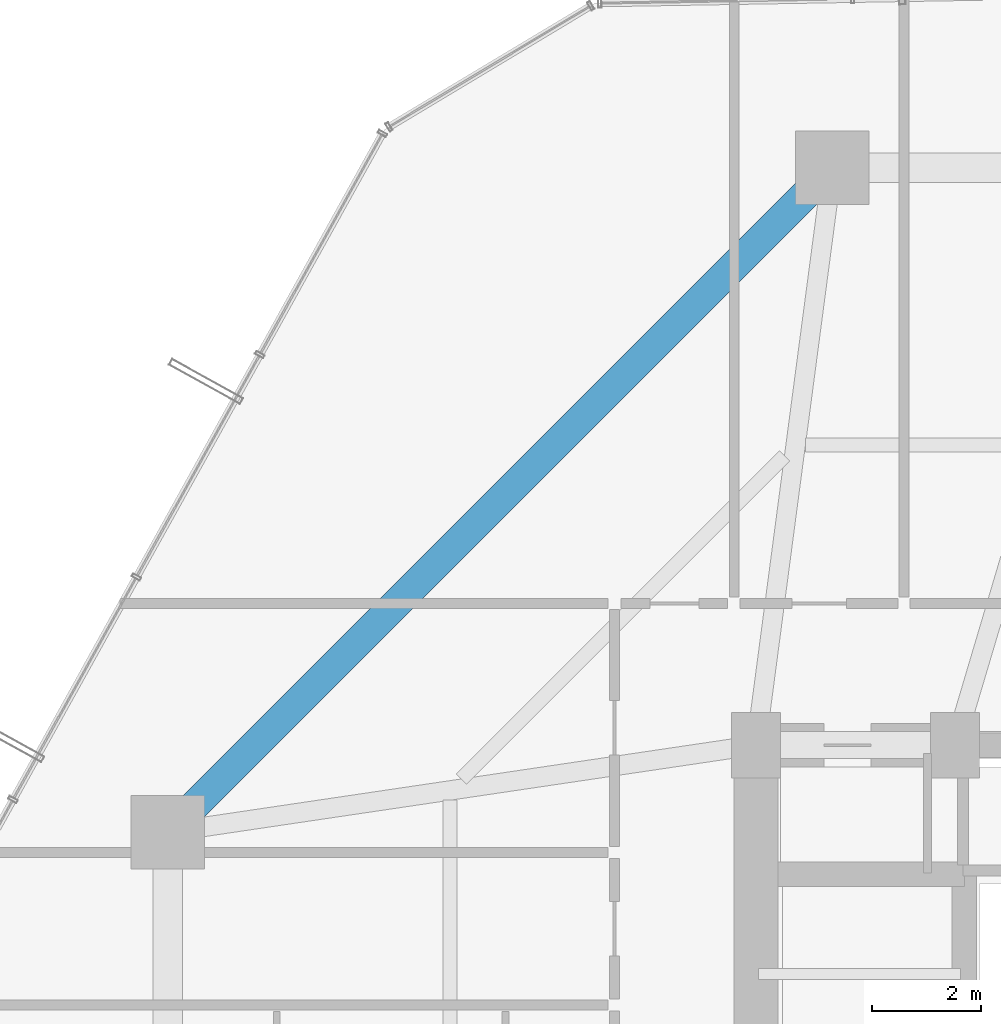
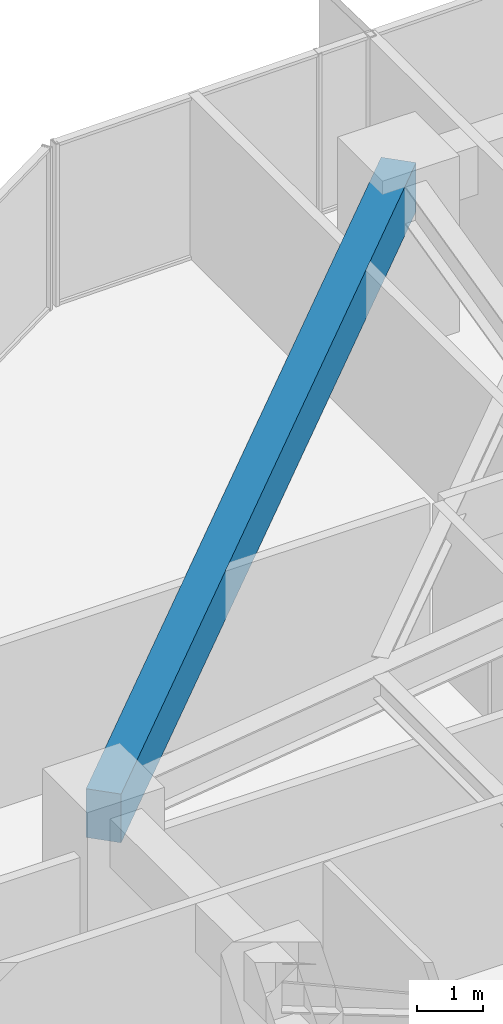
# One storey, part 24 of 39: 1 beam.
"""IFC4 building model written with IfcOpenShell, lengths in metres."""

from ifc_helpers import new_model, si_unit, direction, frame, origin, origin_2d, place, context, subcontext, project, spatial, rectangle, extrude, material, material_profile, profile_set, type_object, element, save


model = new_model("IFC4")

# Units and contexts
model_context = context("Model", 3, precision=1e-05, world=origin(), true_north=direction((0.0, 1.0)))
body_context = subcontext(model_context, "Body", "Model", "MODEL_VIEW")
ifc_project = project(units=[si_unit("LENGTHUNIT", "METRE"), si_unit("AREAUNIT", "SQUARE_METRE"), si_unit("VOLUMEUNIT", "CUBIC_METRE"), si_unit("PLANEANGLEUNIT", "RADIAN"), si_unit("MASSUNIT", "GRAM", prefix="KILO")], contexts=[model_context])

# Site, building, storey
site_placement = place(None, origin())
site = spatial("IfcSite", under=ifc_project, at=site_placement, CompositionType="ELEMENT")
building_placement = place(site_placement, origin())
building = spatial("IfcBuilding", under=site, at=building_placement, Name="Veraguas Prism Commons", CompositionType="ELEMENT")
storey_placement = place(building_placement, frame((0.0, 0.0, 27.300048828125)))
storey = spatial("IfcBuildingStorey", under=building, at=storey_placement, Name="L06", CompositionType="ELEMENT", Elevation=27.300048828125)

# Beam
ifc_material = material(Name="Concrete C50/60", Category="concrete")
ifc_material_profile = material_profile(ifc_material, rectangle(XDim=0.550048828125, YDim=0.89990234375, at=origin_2d()), Name="RC550X900")
ifc_profile_set = profile_set([ifc_material_profile], Name="Concrete C50/60")
beam_type = type_object("IfcBeamType", Name="Perimeter Spandrel Lower RC 550x900", PredefinedType="SPANDREL", material=ifc_profile_set)
beam_placement = place(storey_placement, frame((18.60009765625, 41.60009765625, 2.550048828125), z_axis=(-0.707106781187, -0.707106781187, 0.0), x_axis=(0.707106781187, -0.707106781187, 0.0)))
element("IfcBeam", 1, at=beam_placement, inside=storey, type_object=beam_type, Name="Perimeter Spandrel Beam L06-SP06", PredefinedType="SPANDREL", context=body_context, shape_type="SweptSolid", body=[
    extrude(rectangle(XDim=0.550048828125, YDim=0.89990234375, at=origin_2d()), origin(), (0.0, 0.0, 1.0), 17.253662109375),
])

save(model, "model.ifc")
